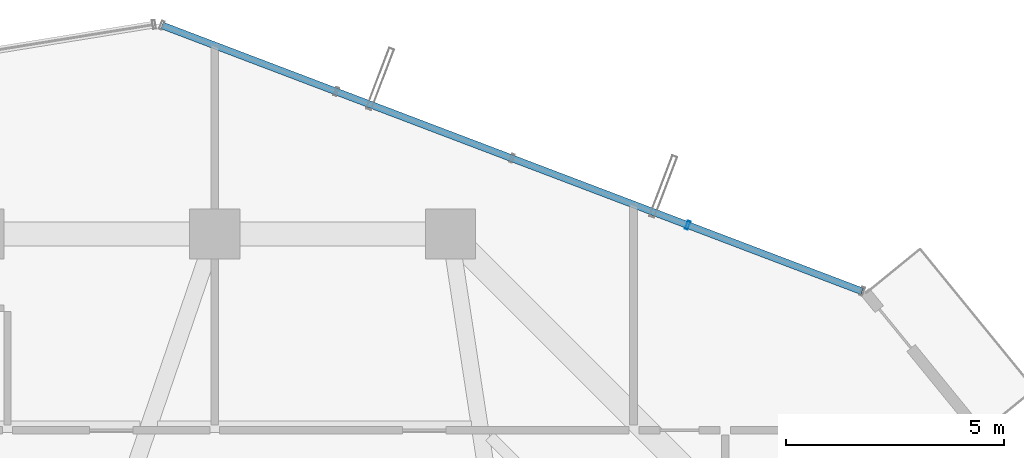
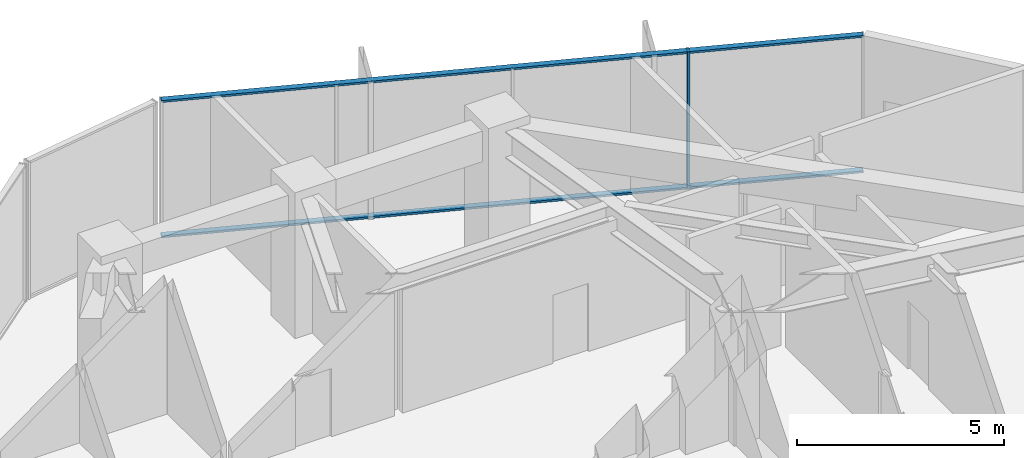
# One storey, part 18 of 26: 3 members, 1 element without a shape of its own.
"""IFC4 building model written with IfcOpenShell, lengths in metres."""

from ifc_helpers import new_model, si_unit, direction, frame, origin, origin_2d, place, context, subcontext, project, spatial, hollow_rectangle, extrude, source, transform, mapped, material, layer, layer_set, material_profile, profile_set, type_object, element, aggregate, save


model = new_model("IFC4")

# Units and contexts
model_context = context("Model", 3, precision=1e-05, world=origin(), true_north=direction((0.0, 1.0)))
body_context = subcontext(model_context, "Body", "Model", "MODEL_VIEW")
ifc_project = project(units=[si_unit("LENGTHUNIT", "METRE"), si_unit("AREAUNIT", "SQUARE_METRE"), si_unit("VOLUMEUNIT", "CUBIC_METRE"), si_unit("PLANEANGLEUNIT", "RADIAN"), si_unit("MASSUNIT", "GRAM", prefix="KILO")], contexts=[model_context])

# Site, building, storey
site_placement = place(None, origin())
site = spatial("IfcSite", under=ifc_project, at=site_placement, CompositionType="ELEMENT")
building_placement = place(site_placement, origin())
building = spatial("IfcBuilding", under=site, at=building_placement, Name="Veraguas Prism Commons", CompositionType="ELEMENT")
storey_placement = place(building_placement, frame((0.0, 0.0, 158.75)))
storey = spatial("IfcBuildingStorey", under=building, at=storey_placement, Name="L45", CompositionType="ELEMENT", Elevation=158.75)

# Curtain wall, members
ifc_material = material(Name="Anodised aluminium EN AW-6063 T6", Category="aluminium")
ifc_layer = layer(ifc_material, 0.199951171875, Name="Sky Lobby and Pool Acoustic Curtain Wall", Category="aluminium")
ifc_layer_set = layer_set([ifc_layer], Name="Anodised aluminium EN AW-6063 T6")
curtain_wall_type = type_object("IfcCurtainWallType", Name="Sky Lobby and Pool Acoustic Curtain Wall", PredefinedType="NOTDEFINED", material=ifc_layer_set)
curtain_wall_placement = place(storey_placement, origin())
curtain_wall = element("IfcCurtainWall", 1, at=curtain_wall_placement, inside=storey, type_object=curtain_wall_type, Name="Tower Facade Curtain Wall L45-F1", PredefinedType="NOTDEFINED")
ifc_material_profile_1 = material_profile(ifc_material, hollow_rectangle(XDim=0.06494140625, YDim=0.199951171875, WallThickness=0.00390625, at=origin_2d()), Name="AL65X200X4")
ifc_profile_set_1 = profile_set([ifc_material_profile_1], Name="Anodised aluminium EN AW-6063 T6")
member_type_1 = type_object("IfcMemberType", Name="Curtain Wall Mullion Heavy AL 65x200x4", PredefinedType="MULLION", material=ifc_profile_set_1)
shared_shape_1 = source(origin(), body_context, "Body", "SweptSolid", [
    extrude(hollow_rectangle(XDim=0.06494140625, YDim=0.199951171875, WallThickness=0.00390625, at=origin_2d()), origin(), (0.0, 0.0, 1.0), 4.050048828125),
])
member_1_placement = place(storey_placement, frame((34.839599609375, 40.40234375, 0.0), z_axis=(0.0, 0.0, 1.0), x_axis=(-0.934824436833, 0.355110225563, 0.0)))
member_1 = element("IfcMember", 2, at=member_1_placement, type_object=member_type_1, Name="CW-SKY Mullion 2", PredefinedType="MULLION", context=body_context, shape_type="MappedRepresentation", body=[
    mapped(shared_shape_1, transform((0.0, 0.0, 0.0), scale=1.0)),
])
ifc_material_profile_2 = material_profile(ifc_material, hollow_rectangle(XDim=0.06005859375, YDim=0.159912109375, WallThickness=0.0029296875, at=origin_2d()), Name="AL60X160X3")
ifc_profile_set_2 = profile_set([ifc_material_profile_2], Name="Anodised aluminium EN AW-6063 T6")
member_type_2 = type_object("IfcMemberType", Name="Curtain Wall Transom Heavy AL 60x160x3", PredefinedType="USERDEFINED", material=ifc_profile_set_2)
shared_shape_2 = source(origin(), body_context, "Body", "SweptSolid", [
    extrude(hollow_rectangle(XDim=0.06005859375, YDim=0.159912109375, WallThickness=0.0029296875, at=origin_2d()), origin(), (0.0, 0.0, 1.0), 17.169189453125),
])
member_2_placement = place(storey_placement, frame((38.8369140625, 38.8837890625, 0.030029296875), z_axis=(-0.93482587992, 0.355106426626, 0.0), x_axis=(0.0, 0.0, 1.0)))
member_2 = element("IfcMember", 3, at=member_2_placement, type_object=member_type_2, Name="CW-SKY Transom 1", ObjectType="TRANSOM", PredefinedType="USERDEFINED", context=body_context, shape_type="MappedRepresentation", body=[
    mapped(shared_shape_2, transform((0.0, 0.0, 0.0), scale=1.0)),
])
member_3_placement = place(storey_placement, frame((38.8369140625, 38.8837890625, 4.02001953125), z_axis=(-0.93482587992, 0.355106426626, 0.0), x_axis=(0.0, 0.0, 1.0)))
member_3 = element("IfcMember", 4, at=member_3_placement, type_object=member_type_2, Name="CW-SKY Transom 2", ObjectType="TRANSOM", PredefinedType="USERDEFINED", context=body_context, shape_type="MappedRepresentation", body=[
    mapped(shared_shape_2, transform((0.0, 0.0, 0.0), scale=1.0)),
])
aggregate(curtain_wall, [member_1, member_2, member_3])

save(model, "model.ifc")
